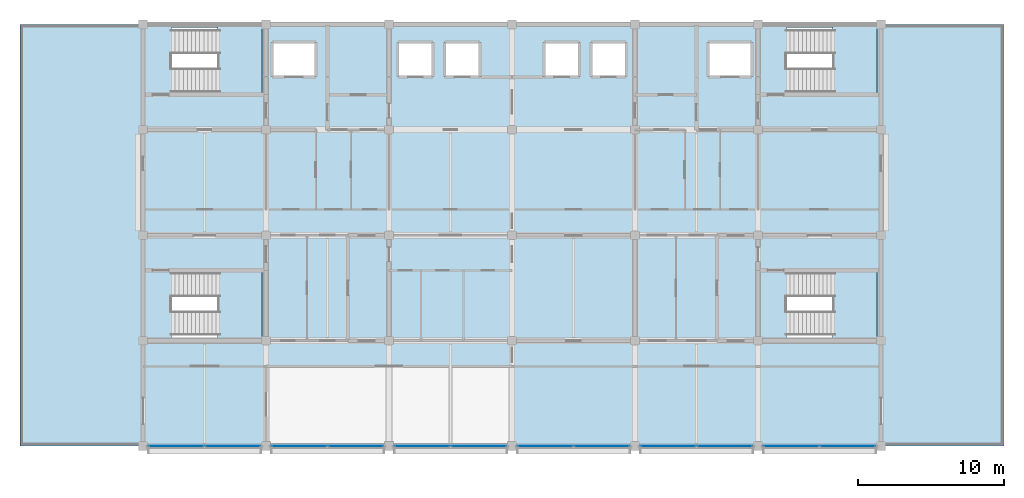
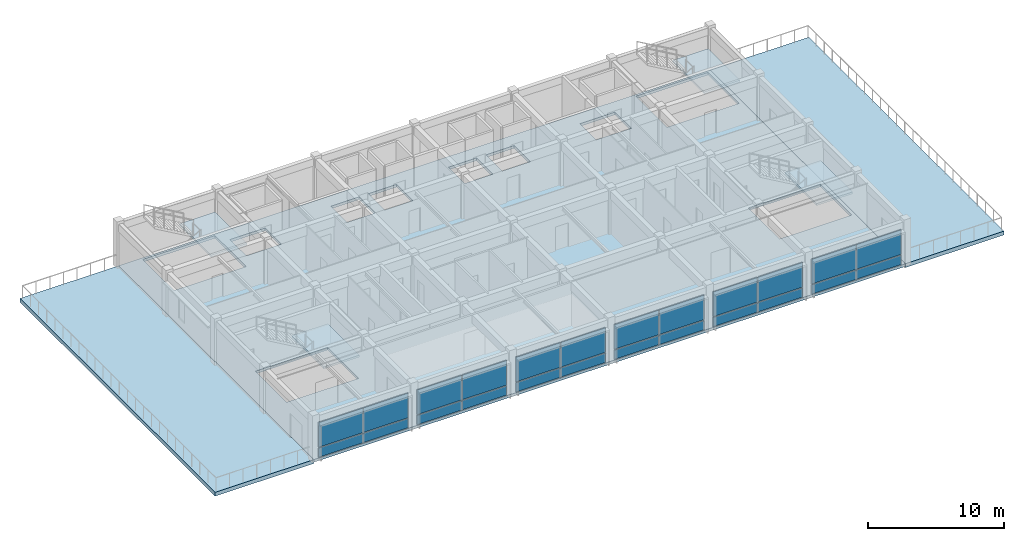
# One storey, part 4 of 13: 24 plates, 7 slabs, 10 elements without a shape of their own.
"""IFC4 building model written with IfcOpenShell, lengths in metres."""

from ifc_helpers import new_model, si_unit, direction, frame, origin, origin_2d, place, context, subcontext, project, spatial, polyline, rectangle, outline, extrude, material, layer, layer_set, type_object, element, aggregate, save


model = new_model("IFC4")

# Units and contexts
model_context = context("Model", 3, precision=1e-05, world=origin(), true_north=direction((0.0, 1.0)))
body_context = subcontext(model_context, "Body", "Model", "MODEL_VIEW")
ifc_project = project(units=[si_unit("LENGTHUNIT", "METRE"), si_unit("AREAUNIT", "SQUARE_METRE"), si_unit("VOLUMEUNIT", "CUBIC_METRE"), si_unit("PLANEANGLEUNIT", "RADIAN"), si_unit("MASSUNIT", "GRAM", prefix="KILO")], contexts=[model_context])

# Site, building, storey
site_placement = place(None, origin())
site = spatial("IfcSite", under=ifc_project, at=site_placement, CompositionType="ELEMENT")
building_placement = place(site_placement, origin())
building = spatial("IfcBuilding", under=site, at=building_placement, Name="Chengyuan Square Courthouse", CompositionType="ELEMENT")
storey_placement = place(building_placement, frame((0.0, 0.0, 60.300048828125)))
storey = spatial("IfcBuildingStorey", under=building, at=storey_placement, Name="L14", CompositionType="ELEMENT", Elevation=60.300048828125)

# Curtain wall, plates
ifc_material_1 = material(Name="Unitised Aluminium and Triple Low-E Glass", Category="aluminium")
ifc_layer_1 = layer(ifc_material_1, 0.219970703125)
ifc_layer_set_1 = layer_set([ifc_layer_1], Name="Unitised Aluminium and Triple Low-E Glass")
curtain_wall_type = type_object("IfcCurtainWallType", Name="CW-16", PredefinedType="USERDEFINED", material=ifc_layer_set_1)
curtain_wall_1_placement = place(storey_placement, origin())
curtain_wall_1 = element("IfcCurtainWall", 1, at=curtain_wall_1_placement, inside=storey, type_object=curtain_wall_type, Name="Unitised Curtain Wall CW-L14-270", ObjectType="UNITISED CURTAIN WALL", PredefinedType="USERDEFINED")
ifc_material_2 = material(Name="Triple Low-E Insulating Glass", Category="glass")
ifc_layer_2 = layer(ifc_material_2, 0.052001953125)
ifc_layer_set_2 = layer_set([ifc_layer_2], Name="Triple Low-E Insulating Glass")
plate_type = type_object("IfcPlateType", Name="CWP-04", PredefinedType="CURTAIN_PANEL", material=ifc_layer_set_2)
plate_1_placement = place(storey_placement, frame((61.070068359375, 79.199951171875, 0.079833984375), z_axis=(0.0, 0.0, 1.0), x_axis=(1.0, 0.0, 0.0)))
plate_1 = element("IfcPlate", 2, at=plate_1_placement, type_object=plate_type, Name="CW-16 panel 1.1", PredefinedType="CURTAIN_PANEL", context=body_context, shape_type="SweptSolid", body=[
    extrude(rectangle(XDim=3.780029296875, YDim=0.052001953125, at=origin_2d()), origin(), (0.0, 0.0, 1.0), 0.830078125),
])
plate_2_placement = place(storey_placement, frame((61.070068359375, 79.199951171875, 0.98974609375), z_axis=(0.0, 0.0, 1.0), x_axis=(1.0, 0.0, 0.0)))
plate_2 = element("IfcPlate", 3, at=plate_2_placement, type_object=plate_type, Name="CW-16 panel 1.2", PredefinedType="CURTAIN_PANEL", context=body_context, shape_type="SweptSolid", body=[
    extrude(rectangle(XDim=3.780029296875, YDim=0.052001953125, at=origin_2d()), origin(), (0.0, 0.0, 1.0), 2.239990234375),
])
plate_3_placement = place(storey_placement, frame((64.929931640625, 79.199951171875, 0.079833984375), z_axis=(0.0, 0.0, 1.0), x_axis=(1.0, 0.0, 0.0)))
plate_3 = element("IfcPlate", 4, at=plate_3_placement, type_object=plate_type, Name="CW-16 panel 2.1", PredefinedType="CURTAIN_PANEL", context=body_context, shape_type="SweptSolid", body=[
    extrude(rectangle(XDim=3.780029296875, YDim=0.052001953125, at=origin_2d()), origin(), (0.0, 0.0, 1.0), 0.830078125),
])
plate_4_placement = place(storey_placement, frame((64.929931640625, 79.199951171875, 0.98974609375), z_axis=(0.0, 0.0, 1.0), x_axis=(1.0, 0.0, 0.0)))
plate_4 = element("IfcPlate", 5, at=plate_4_placement, type_object=plate_type, Name="CW-16 panel 2.2", PredefinedType="CURTAIN_PANEL", context=body_context, shape_type="SweptSolid", body=[
    extrude(rectangle(XDim=3.780029296875, YDim=0.052001953125, at=origin_2d()), origin(), (0.0, 0.0, 1.0), 2.239990234375),
])
aggregate(curtain_wall_1, [plate_1, plate_2, plate_3, plate_4])

curtain_wall_2_placement = place(storey_placement, origin())
curtain_wall_2 = element("IfcCurtainWall", 6, at=curtain_wall_2_placement, inside=storey, type_object=curtain_wall_type, Name="Unitised Curtain Wall CW-L14-271", ObjectType="UNITISED CURTAIN WALL", PredefinedType="USERDEFINED")
plate_5_placement = place(storey_placement, frame((69.469970703125, 79.199951171875, 0.079833984375), z_axis=(0.0, 0.0, 1.0), x_axis=(1.0, 0.0, 0.0)))
plate_5 = element("IfcPlate", 7, at=plate_5_placement, type_object=plate_type, Name="CW-16 panel 1.1", PredefinedType="CURTAIN_PANEL", context=body_context, shape_type="SweptSolid", body=[
    extrude(rectangle(XDim=3.780029296875, YDim=0.052001953125, at=origin_2d()), origin(), (0.0, 0.0, 1.0), 0.830078125),
])
plate_6_placement = place(storey_placement, frame((69.469970703125, 79.199951171875, 0.98974609375), z_axis=(0.0, 0.0, 1.0), x_axis=(1.0, 0.0, 0.0)))
plate_6 = element("IfcPlate", 8, at=plate_6_placement, type_object=plate_type, Name="CW-16 panel 1.2", PredefinedType="CURTAIN_PANEL", context=body_context, shape_type="SweptSolid", body=[
    extrude(rectangle(XDim=3.780029296875, YDim=0.052001953125, at=origin_2d()), origin(), (0.0, 0.0, 1.0), 2.239990234375),
])
plate_7_placement = place(storey_placement, frame((73.330078125, 79.199951171875, 0.079833984375), z_axis=(0.0, 0.0, 1.0), x_axis=(1.0, 0.0, 0.0)))
plate_7 = element("IfcPlate", 9, at=plate_7_placement, type_object=plate_type, Name="CW-16 panel 2.1", PredefinedType="CURTAIN_PANEL", context=body_context, shape_type="SweptSolid", body=[
    extrude(rectangle(XDim=3.780029296875, YDim=0.052001953125, at=origin_2d()), origin(), (0.0, 0.0, 1.0), 0.830078125),
])
plate_8_placement = place(storey_placement, frame((73.330078125, 79.199951171875, 0.98974609375), z_axis=(0.0, 0.0, 1.0), x_axis=(1.0, 0.0, 0.0)))
plate_8 = element("IfcPlate", 10, at=plate_8_placement, type_object=plate_type, Name="CW-16 panel 2.2", PredefinedType="CURTAIN_PANEL", context=body_context, shape_type="SweptSolid", body=[
    extrude(rectangle(XDim=3.780029296875, YDim=0.052001953125, at=origin_2d()), origin(), (0.0, 0.0, 1.0), 2.239990234375),
])
aggregate(curtain_wall_2, [plate_5, plate_6, plate_7, plate_8])

curtain_wall_3_placement = place(storey_placement, origin())
curtain_wall_3 = element("IfcCurtainWall", 11, at=curtain_wall_3_placement, inside=storey, type_object=curtain_wall_type, Name="Unitised Curtain Wall CW-L14-272", ObjectType="UNITISED CURTAIN WALL", PredefinedType="USERDEFINED")
plate_9_placement = place(storey_placement, frame((77.8701171875, 79.199951171875, 0.079833984375), z_axis=(0.0, 0.0, 1.0), x_axis=(1.0, 0.0, 0.0)))
plate_9 = element("IfcPlate", 12, at=plate_9_placement, type_object=plate_type, Name="CW-16 panel 1.1", PredefinedType="CURTAIN_PANEL", context=body_context, shape_type="SweptSolid", body=[
    extrude(rectangle(XDim=3.780029296875, YDim=0.052001953125, at=origin_2d()), origin(), (0.0, 0.0, 1.0), 0.830078125),
])
plate_10_placement = place(storey_placement, frame((77.8701171875, 79.199951171875, 0.98974609375), z_axis=(0.0, 0.0, 1.0), x_axis=(1.0, 0.0, 0.0)))
plate_10 = element("IfcPlate", 13, at=plate_10_placement, type_object=plate_type, Name="CW-16 panel 1.2", PredefinedType="CURTAIN_PANEL", context=body_context, shape_type="SweptSolid", body=[
    extrude(rectangle(XDim=3.780029296875, YDim=0.052001953125, at=origin_2d()), origin(), (0.0, 0.0, 1.0), 2.239990234375),
])
plate_11_placement = place(storey_placement, frame((81.72998046875, 79.199951171875, 0.079833984375), z_axis=(0.0, 0.0, 1.0), x_axis=(1.0, 0.0, 0.0)))
plate_11 = element("IfcPlate", 14, at=plate_11_placement, type_object=plate_type, Name="CW-16 panel 2.1", PredefinedType="CURTAIN_PANEL", context=body_context, shape_type="SweptSolid", body=[
    extrude(rectangle(XDim=3.780029296875, YDim=0.052001953125, at=origin_2d()), origin(), (0.0, 0.0, 1.0), 0.830078125),
])
plate_12_placement = place(storey_placement, frame((81.72998046875, 79.199951171875, 0.98974609375), z_axis=(0.0, 0.0, 1.0), x_axis=(1.0, 0.0, 0.0)))
plate_12 = element("IfcPlate", 15, at=plate_12_placement, type_object=plate_type, Name="CW-16 panel 2.2", PredefinedType="CURTAIN_PANEL", context=body_context, shape_type="SweptSolid", body=[
    extrude(rectangle(XDim=3.780029296875, YDim=0.052001953125, at=origin_2d()), origin(), (0.0, 0.0, 1.0), 2.239990234375),
])
aggregate(curtain_wall_3, [plate_9, plate_10, plate_11, plate_12])

curtain_wall_4_placement = place(storey_placement, origin())
curtain_wall_4 = element("IfcCurtainWall", 16, at=curtain_wall_4_placement, inside=storey, type_object=curtain_wall_type, Name="Unitised Curtain Wall CW-L14-273", ObjectType="UNITISED CURTAIN WALL", PredefinedType="USERDEFINED")
plate_13_placement = place(storey_placement, frame((86.27001953125, 79.199951171875, 0.079833984375), z_axis=(0.0, 0.0, 1.0), x_axis=(1.0, 0.0, 0.0)))
plate_13 = element("IfcPlate", 17, at=plate_13_placement, type_object=plate_type, Name="CW-16 panel 1.1", PredefinedType="CURTAIN_PANEL", context=body_context, shape_type="SweptSolid", body=[
    extrude(rectangle(XDim=3.780029296875, YDim=0.052001953125, at=origin_2d()), origin(), (0.0, 0.0, 1.0), 0.830078125),
])
plate_14_placement = place(storey_placement, frame((86.27001953125, 79.199951171875, 0.98974609375), z_axis=(0.0, 0.0, 1.0), x_axis=(1.0, 0.0, 0.0)))
plate_14 = element("IfcPlate", 18, at=plate_14_placement, type_object=plate_type, Name="CW-16 panel 1.2", PredefinedType="CURTAIN_PANEL", context=body_context, shape_type="SweptSolid", body=[
    extrude(rectangle(XDim=3.780029296875, YDim=0.052001953125, at=origin_2d()), origin(), (0.0, 0.0, 1.0), 2.239990234375),
])
plate_15_placement = place(storey_placement, frame((90.1298828125, 79.199951171875, 0.079833984375), z_axis=(0.0, 0.0, 1.0), x_axis=(1.0, 0.0, 0.0)))
plate_15 = element("IfcPlate", 19, at=plate_15_placement, type_object=plate_type, Name="CW-16 panel 2.1", PredefinedType="CURTAIN_PANEL", context=body_context, shape_type="SweptSolid", body=[
    extrude(rectangle(XDim=3.780029296875, YDim=0.052001953125, at=origin_2d()), origin(), (0.0, 0.0, 1.0), 0.830078125),
])
plate_16_placement = place(storey_placement, frame((90.1298828125, 79.199951171875, 0.98974609375), z_axis=(0.0, 0.0, 1.0), x_axis=(1.0, 0.0, 0.0)))
plate_16 = element("IfcPlate", 20, at=plate_16_placement, type_object=plate_type, Name="CW-16 panel 2.2", PredefinedType="CURTAIN_PANEL", context=body_context, shape_type="SweptSolid", body=[
    extrude(rectangle(XDim=3.780029296875, YDim=0.052001953125, at=origin_2d()), origin(), (0.0, 0.0, 1.0), 2.239990234375),
])
aggregate(curtain_wall_4, [plate_13, plate_14, plate_15, plate_16])

curtain_wall_5_placement = place(storey_placement, origin())
curtain_wall_5 = element("IfcCurtainWall", 21, at=curtain_wall_5_placement, inside=storey, type_object=curtain_wall_type, Name="Unitised Curtain Wall CW-L14-274", ObjectType="UNITISED CURTAIN WALL", PredefinedType="USERDEFINED")
plate_17_placement = place(storey_placement, frame((94.669921875, 79.199951171875, 0.079833984375), z_axis=(0.0, 0.0, 1.0), x_axis=(1.0, 0.0, 0.0)))
plate_17 = element("IfcPlate", 22, at=plate_17_placement, type_object=plate_type, Name="CW-16 panel 1.1", PredefinedType="CURTAIN_PANEL", context=body_context, shape_type="SweptSolid", body=[
    extrude(rectangle(XDim=3.780029296875, YDim=0.052001953125, at=origin_2d()), origin(), (0.0, 0.0, 1.0), 0.830078125),
])
plate_18_placement = place(storey_placement, frame((94.669921875, 79.199951171875, 0.98974609375), z_axis=(0.0, 0.0, 1.0), x_axis=(1.0, 0.0, 0.0)))
plate_18 = element("IfcPlate", 23, at=plate_18_placement, type_object=plate_type, Name="CW-16 panel 1.2", PredefinedType="CURTAIN_PANEL", context=body_context, shape_type="SweptSolid", body=[
    extrude(rectangle(XDim=3.780029296875, YDim=0.052001953125, at=origin_2d()), origin(), (0.0, 0.0, 1.0), 2.239990234375),
])
plate_19_placement = place(storey_placement, frame((98.530029296875, 79.199951171875, 0.079833984375), z_axis=(0.0, 0.0, 1.0), x_axis=(1.0, 0.0, 0.0)))
plate_19 = element("IfcPlate", 24, at=plate_19_placement, type_object=plate_type, Name="CW-16 panel 2.1", PredefinedType="CURTAIN_PANEL", context=body_context, shape_type="SweptSolid", body=[
    extrude(rectangle(XDim=3.780029296875, YDim=0.052001953125, at=origin_2d()), origin(), (0.0, 0.0, 1.0), 0.830078125),
])
plate_20_placement = place(storey_placement, frame((98.530029296875, 79.199951171875, 0.98974609375), z_axis=(0.0, 0.0, 1.0), x_axis=(1.0, 0.0, 0.0)))
plate_20 = element("IfcPlate", 25, at=plate_20_placement, type_object=plate_type, Name="CW-16 panel 2.2", PredefinedType="CURTAIN_PANEL", context=body_context, shape_type="SweptSolid", body=[
    extrude(rectangle(XDim=3.780029296875, YDim=0.052001953125, at=origin_2d()), origin(), (0.0, 0.0, 1.0), 2.239990234375),
])
aggregate(curtain_wall_5, [plate_17, plate_18, plate_19, plate_20])

curtain_wall_6_placement = place(storey_placement, origin())
curtain_wall_6 = element("IfcCurtainWall", 26, at=curtain_wall_6_placement, inside=storey, type_object=curtain_wall_type, Name="Unitised Curtain Wall CW-L14-275", ObjectType="UNITISED CURTAIN WALL", PredefinedType="USERDEFINED")
plate_21_placement = place(storey_placement, frame((103.070068359375, 79.199951171875, 0.079833984375), z_axis=(0.0, 0.0, 1.0), x_axis=(1.0, 0.0, 0.0)))
plate_21 = element("IfcPlate", 27, at=plate_21_placement, type_object=plate_type, Name="CW-16 panel 1.1", PredefinedType="CURTAIN_PANEL", context=body_context, shape_type="SweptSolid", body=[
    extrude(rectangle(XDim=3.780029296875, YDim=0.052001953125, at=origin_2d()), origin(), (0.0, 0.0, 1.0), 0.830078125),
])
plate_22_placement = place(storey_placement, frame((103.070068359375, 79.199951171875, 0.98974609375), z_axis=(0.0, 0.0, 1.0), x_axis=(1.0, 0.0, 0.0)))
plate_22 = element("IfcPlate", 28, at=plate_22_placement, type_object=plate_type, Name="CW-16 panel 1.2", PredefinedType="CURTAIN_PANEL", context=body_context, shape_type="SweptSolid", body=[
    extrude(rectangle(XDim=3.780029296875, YDim=0.052001953125, at=origin_2d()), origin(), (0.0, 0.0, 1.0), 2.239990234375),
])
plate_23_placement = place(storey_placement, frame((106.929931640625, 79.199951171875, 0.079833984375), z_axis=(0.0, 0.0, 1.0), x_axis=(1.0, 0.0, 0.0)))
plate_23 = element("IfcPlate", 29, at=plate_23_placement, type_object=plate_type, Name="CW-16 panel 2.1", PredefinedType="CURTAIN_PANEL", context=body_context, shape_type="SweptSolid", body=[
    extrude(rectangle(XDim=3.780029296875, YDim=0.052001953125, at=origin_2d()), origin(), (0.0, 0.0, 1.0), 0.830078125),
])
plate_24_placement = place(storey_placement, frame((106.929931640625, 79.199951171875, 0.98974609375), z_axis=(0.0, 0.0, 1.0), x_axis=(1.0, 0.0, 0.0)))
plate_24 = element("IfcPlate", 30, at=plate_24_placement, type_object=plate_type, Name="CW-16 panel 2.2", PredefinedType="CURTAIN_PANEL", context=body_context, shape_type="SweptSolid", body=[
    extrude(rectangle(XDim=3.780029296875, YDim=0.052001953125, at=origin_2d()), origin(), (0.0, 0.0, 1.0), 2.239990234375),
])
aggregate(curtain_wall_6, [plate_21, plate_22, plate_23, plate_24])

# Stair, slab
ifc_material_3 = material(Name="Concrete C40", Category="concrete")
stair_type_1 = type_object("IfcStairType", Name="ST-TYPE-01", PredefinedType="HALF_TURN_STAIR", material=ifc_material_3)
stair_1_placement = place(storey_placement, origin())
stair_1 = element("IfcStair", 31, at=stair_1_placement, inside=storey, type_object=stair_type_1, Name="Smoke-Proof Exit Stair ST-1 (L14 to L15)", PredefinedType="HALF_TURN_STAIR")
ifc_layer_3 = layer(ifc_material_3, 0.179931640625)
ifc_layer_set_3 = layer_set([ifc_layer_3], Name="Concrete C40")
slab_type_1 = type_object("IfcSlabType", Name="SL-LND2", PredefinedType="LANDING", material=ifc_layer_set_3)
slab_1_placement = place(storey_placement, frame((0.0, 0.0, 1.919921875)))
slab_1 = element("IfcSlab", 32, at=slab_1_placement, type_object=slab_type_1, Name="ST-1 landing 1", PredefinedType="LANDING", context=body_context, shape_type="SweptSolid", body=[
    extrude(outline(polyline([(63.889892578125, 103.159912109375), (66.93994140625, 103.159912109375), (66.93994140625, 107.840087890625), (63.889892578125, 107.840087890625), (63.889892578125, 103.159912109375)])), origin(), (0.0, 0.0, 1.0), 0.179931640625),
])
aggregate(stair_1, [slab_1])

stair_type_2 = type_object("IfcStairType", Name="ST-TYPE-02", PredefinedType="HALF_TURN_STAIR", material=ifc_material_3)
stair_2_placement = place(storey_placement, origin())
stair_2 = element("IfcStair", 33, at=stair_2_placement, inside=storey, type_object=stair_type_2, Name="Smoke-Proof Exit Stair ST-2 (L14 to L15)", PredefinedType="HALF_TURN_STAIR")
slab_2_placement = place(storey_placement, frame((0.0, 0.0, 1.919921875)))
slab_2 = element("IfcSlab", 34, at=slab_2_placement, type_object=slab_type_1, Name="ST-2 landing 1", PredefinedType="LANDING", context=body_context, shape_type="SweptSolid", body=[
    extrude(outline(polyline([(105.889892578125, 103.159912109375), (108.93994140625, 103.159912109375), (108.93994140625, 107.840087890625), (105.889892578125, 107.840087890625), (105.889892578125, 103.159912109375)])), origin(), (0.0, 0.0, 1.0), 0.179931640625),
])
aggregate(stair_2, [slab_2])

stair_type_3 = type_object("IfcStairType", Name="ST-TYPE-03", PredefinedType="HALF_TURN_STAIR", material=ifc_material_3)
stair_3_placement = place(storey_placement, origin())
stair_3 = element("IfcStair", 35, at=stair_3_placement, inside=storey, type_object=stair_type_3, Name="Smoke-Proof Exit Stair ST-3 (L14 to L15)", PredefinedType="HALF_TURN_STAIR")
slab_3_placement = place(storey_placement, frame((0.0, 0.0, 1.919921875)))
slab_3 = element("IfcSlab", 36, at=slab_3_placement, type_object=slab_type_1, Name="ST-3 landing 1", PredefinedType="LANDING", context=body_context, shape_type="SweptSolid", body=[
    extrude(outline(polyline([(63.889892578125, 86.56005859375), (66.93994140625, 86.56005859375), (66.93994140625, 91.239990234375), (63.889892578125, 91.239990234375), (63.889892578125, 86.56005859375)])), origin(), (0.0, 0.0, 1.0), 0.179931640625),
])
aggregate(stair_3, [slab_3])

stair_type_4 = type_object("IfcStairType", Name="ST-TYPE-04", PredefinedType="HALF_TURN_STAIR", material=ifc_material_3)
stair_4_placement = place(storey_placement, origin())
stair_4 = element("IfcStair", 37, at=stair_4_placement, inside=storey, type_object=stair_type_4, Name="Smoke-Proof Exit Stair ST-4 (L14 to L15)", PredefinedType="HALF_TURN_STAIR")
slab_4_placement = place(storey_placement, frame((0.0, 0.0, 1.919921875)))
slab_4 = element("IfcSlab", 38, at=slab_4_placement, type_object=slab_type_1, Name="ST-4 landing 1", PredefinedType="LANDING", context=body_context, shape_type="SweptSolid", body=[
    extrude(outline(polyline([(105.889892578125, 86.56005859375), (108.93994140625, 86.56005859375), (108.93994140625, 91.239990234375), (105.889892578125, 91.239990234375), (105.889892578125, 86.56005859375)])), origin(), (0.0, 0.0, 1.0), 0.179931640625),
])
aggregate(stair_4, [slab_4])

# Slabs
ifc_layer_4 = layer(ifc_material_3, 0.239990234375)
ifc_layer_set_4 = layer_set([ifc_layer_4], Name="Concrete C40")
slab_type_2 = type_object("IfcSlabType", Name="SL-RC24", PredefinedType="FLOOR", material=ifc_layer_set_4)
slab_5_placement = place(storey_placement, frame((0.0, 0.0, -0.239990234375)))
element("IfcSlab", 39, at=slab_5_placement, inside=storey, type_object=slab_type_2, Name="Suspended Floor Slab SL-L14-01", PredefinedType="FLOOR", context=body_context, shape_type="SweptSolid", body=[
    extrude(outline(polyline([(67.199951171875, 108.0), (75.60009765625, 108.0), (84.0, 108.0), (92.39990234375, 108.0), (100.800048828125, 108.0), (109.199951171875, 108.0), (109.199951171875, 100.800048828125), (109.199951171875, 93.60009765625), (109.199951171875, 86.39990234375), (109.199951171875, 79.199951171875), (100.800048828125, 79.199951171875), (92.39990234375, 79.199951171875), (84.0, 79.199951171875), (75.60009765625, 79.199951171875), (67.199951171875, 79.199951171875), (58.800048828125, 79.199951171875), (58.800048828125, 86.39990234375), (58.800048828125, 93.60009765625), (58.800048828125, 100.800048828125), (58.800048828125, 108.0), (67.199951171875, 108.0)]), holes=[polyline([(60.75, 86.60009765625), (66.89990234375, 86.60009765625), (66.89990234375, 91.199951171875), (60.75, 91.199951171875), (60.75, 86.60009765625)]), polyline([(102.75, 86.60009765625), (108.89990234375, 86.60009765625), (108.89990234375, 91.199951171875), (102.75, 91.199951171875), (102.75, 86.60009765625)]), polyline([(60.75, 103.199951171875), (66.89990234375, 103.199951171875), (66.89990234375, 107.800048828125), (60.75, 107.800048828125), (60.75, 103.199951171875)]), polyline([(102.75, 107.800048828125), (102.75, 103.199951171875), (108.89990234375, 103.199951171875), (108.89990234375, 107.800048828125), (102.75, 107.800048828125)]), polyline([(67.60009765625, 106.800048828125), (67.60009765625, 104.39990234375), (70.60009765625, 104.39990234375), (70.60009765625, 106.800048828125), (67.60009765625, 106.800048828125)]), polyline([(76.199951171875, 104.39990234375), (78.60009765625, 104.39990234375), (78.60009765625, 106.800048828125), (76.199951171875, 106.800048828125), (76.199951171875, 104.39990234375)]), polyline([(79.39990234375, 104.39990234375), (81.800048828125, 104.39990234375), (81.800048828125, 106.800048828125), (79.39990234375, 106.800048828125), (79.39990234375, 104.39990234375)]), polyline([(86.199951171875, 104.39990234375), (88.60009765625, 104.39990234375), (88.60009765625, 106.800048828125), (86.199951171875, 106.800048828125), (86.199951171875, 104.39990234375)]), polyline([(89.39990234375, 106.800048828125), (89.39990234375, 104.39990234375), (91.800048828125, 104.39990234375), (91.800048828125, 106.800048828125), (89.39990234375, 106.800048828125)]), polyline([(97.39990234375, 106.800048828125), (97.39990234375, 104.39990234375), (100.39990234375, 104.39990234375), (100.39990234375, 106.800048828125), (97.39990234375, 106.800048828125)])]), origin(), (0.0, 0.0, 1.0), 0.239990234375),
])
ifc_layer_5 = layer(ifc_material_3, 0.35009765625)
ifc_layer_set_5 = layer_set([ifc_layer_5], Name="Concrete C40")
slab_type_3 = type_object("IfcSlabType", Name="SL-TER", PredefinedType="ROOF", material=ifc_layer_set_5)
slab_6_placement = place(storey_placement, frame((0.0, 0.0, -0.35009765625)))
element("IfcSlab", 40, at=slab_6_placement, inside=storey, type_object=slab_type_3, Name="West Judicial Sky Terrace", PredefinedType="ROOF", context=body_context, shape_type="SweptSolid", body=[
    extrude(outline(polyline([(50.39990234375, 79.199951171875), (50.39990234375, 86.39990234375), (50.39990234375, 93.60009765625), (50.39990234375, 100.800048828125), (50.39990234375, 108.0), (58.800048828125, 108.0), (58.800048828125, 100.800048828125), (58.800048828125, 93.60009765625), (58.800048828125, 86.39990234375), (58.800048828125, 79.199951171875), (50.39990234375, 79.199951171875)])), origin(), (0.0, 0.0, 1.0), 0.35009765625),
])
slab_7_placement = place(storey_placement, frame((0.0, 0.0, -0.35009765625)))
element("IfcSlab", 41, at=slab_7_placement, inside=storey, type_object=slab_type_3, Name="East Judicial Sky Terrace", PredefinedType="ROOF", context=body_context, shape_type="SweptSolid", body=[
    extrude(outline(polyline([(109.199951171875, 79.199951171875), (109.199951171875, 86.39990234375), (109.199951171875, 93.60009765625), (109.199951171875, 100.800048828125), (109.199951171875, 108.0), (117.60009765625, 108.0), (117.60009765625, 100.800048828125), (117.60009765625, 93.60009765625), (117.60009765625, 86.39990234375), (117.60009765625, 79.199951171875), (109.199951171875, 79.199951171875)])), origin(), (0.0, 0.0, 1.0), 0.35009765625),
])

save(model, "model.ifc")
